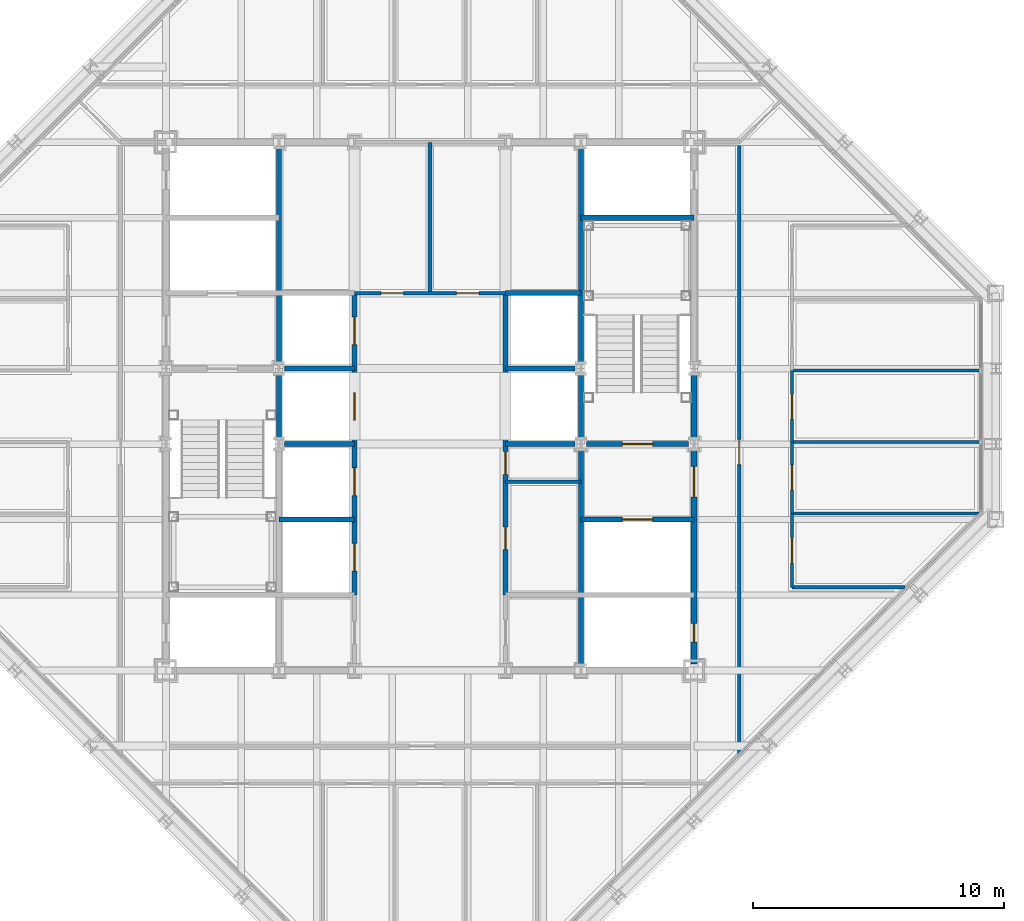
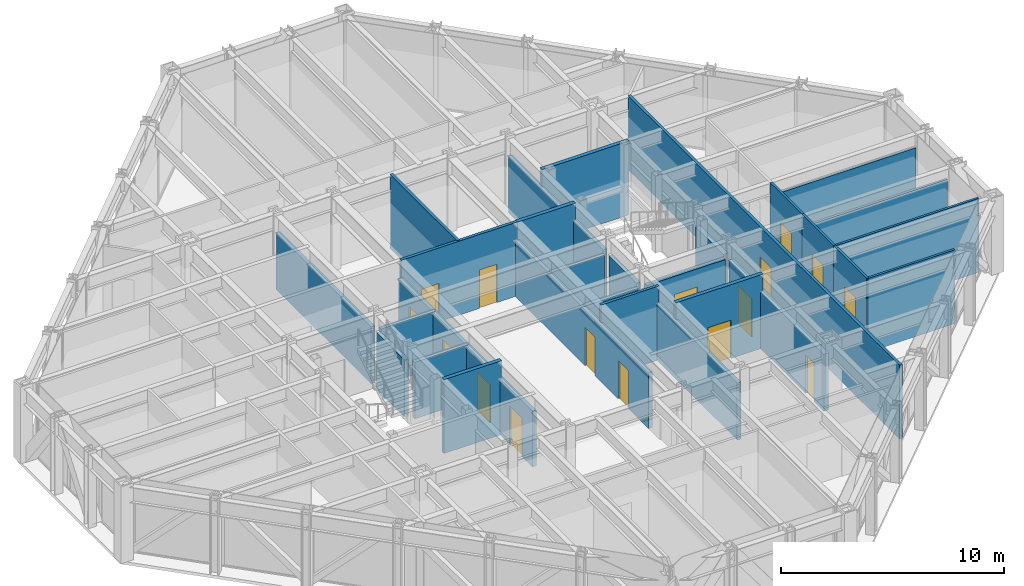
# One storey, part 11 of 15: 29 walls, 16 doors, 16 openings.
"""IFC4 building model written with IfcOpenShell, lengths in metres."""

from ifc_helpers import new_model, si_unit, direction, frame, frame_2d, origin, place, context, subcontext, project, spatial, rectangle, extrude, material, layer, layer_set, type_object, element, fill, save


model = new_model("IFC4")

# Units and contexts
model_context = context("Model", 3, precision=1e-05, world=origin(), true_north=direction((0.0, 1.0)))
body_context = subcontext(model_context, "Body", "Model", "MODEL_VIEW")
ifc_project = project(units=[si_unit("LENGTHUNIT", "METRE"), si_unit("AREAUNIT", "SQUARE_METRE"), si_unit("VOLUMEUNIT", "CUBIC_METRE"), si_unit("PLANEANGLEUNIT", "RADIAN"), si_unit("MASSUNIT", "GRAM", prefix="KILO")], contexts=[model_context])

# Site, building, storey
site_placement = place(None, origin())
site = spatial("IfcSite", under=ifc_project, at=site_placement, CompositionType="ELEMENT")
building_placement = place(site_placement, origin())
building = spatial("IfcBuilding", under=site, at=building_placement, Name="Chuquiago Exchange Tower", CompositionType="ELEMENT")
storey_placement = place(building_placement, frame((0.0, 0.0, 262.199951171875)))
storey = spatial("IfcBuildingStorey", under=building, at=storey_placement, Name="L58", CompositionType="ELEMENT", Elevation=262.199951171875)

# Wall, openings, doors
ifc_material_1 = material(Name="Concrete masonry, fully grouted", Category="masonry")
ifc_layer_1 = layer(ifc_material_1, 0.25)
ifc_layer_set_1 = layer_set([ifc_layer_1], Name="W1 core wall 250")
wall_type_1 = type_object("IfcWallType", Name="W1 core wall 250", PredefinedType="SOLIDWALL", material=ifc_layer_set_1)
wall_1_placement = place(storey_placement, frame((33.0, 12.25, 0.0), z_axis=(0.0, 0.0, 1.0), x_axis=(0.0, 1.0, 0.0)))
wall_1 = element("IfcWall", 1, at=wall_1_placement, inside=storey, type_object=wall_type_1, Name="CW-L58-25-0", PredefinedType="SOLIDWALL", context=body_context, shape_type="SweptSolid", body=[
    extrude(rectangle(XDim=8.5, YDim=0.25, at=frame_2d((4.25, 0.0))), origin(), (0.0, 0.0, 1.0), 3.113037109375),
])
opening_1_placement = place(wall_1_placement, frame((6.64990234375, 0.0, 0.0)))
opening_1 = element("IfcOpeningElement", 2, at=opening_1_placement, cuts=wall_1, Name="Opening L58-004", PredefinedType="OPENING", context=body_context, shape_type="SweptSolid", body=[
    extrude(rectangle(XDim=1.199951171875, YDim=2.10009765625, at=frame_2d((0.60009765625, 1.050048828125))), frame((0.0, 0.135009765625, 0.0), z_axis=(0.0, -1.0, 0.0), x_axis=(1.0, 0.0, 0.0)), (0.0, 0.0, 1.0), 0.27001953125),
])
opening_2_placement = place(wall_1_placement, frame((0.875, 0.0, 0.0)))
opening_2 = element("IfcOpeningElement", 3, at=opening_2_placement, cuts=wall_1, Name="Opening L58-009", PredefinedType="OPENING", context=body_context, shape_type="SweptSolid", body=[
    extrude(rectangle(XDim=0.75, YDim=2.10009765625, at=frame_2d((0.375, 1.050048828125))), frame((0.0, 0.135009765625, 0.0), z_axis=(0.0, -1.0, 0.0), x_axis=(1.0, 0.0, 0.0)), (0.0, 0.0, 1.0), 0.27001953125),
])
ifc_material_2 = material(Name="Steel door, painted", Category="steel")
door_type_1 = type_object("IfcDoorType", Name="D5 firefighting lobby door 1200x2100", OperationType="SINGLE_SWING_LEFT", PredefinedType="DOOR", material=ifc_material_2)
door_1_placement = place(opening_1_placement, origin())
door_1 = element("IfcDoor", 4, at=door_1_placement, inside=storey, type_object=door_type_1, Name="Firefighting lobby 2 door", OperationType="SINGLE_SWING_RIGHT", OverallHeight=2.10009765625, OverallWidth=1.199951171875, PredefinedType="DOOR", context=body_context, shape_type="SweptSolid", body=[
    extrude(rectangle(XDim=1.199951171875, YDim=2.10009765625, at=frame_2d((0.60009765625, 1.050048828125))), frame((0.0, 0.02490234375, 0.0), z_axis=(0.0, -1.0, 0.0), x_axis=(1.0, 0.0, 0.0)), (0.0, 0.0, 1.0), 0.050048828125),
])
fill(opening_1, door_1)
ifc_material_3 = material(Name="Steel door, painted", Category="steel")
door_type_2 = type_object("IfcDoorType", Name="D6 riser access door 750x2100", OperationType="SINGLE_SWING_LEFT", PredefinedType="DOOR", material=ifc_material_3)
door_2_placement = place(opening_2_placement, origin())
door_2 = element("IfcDoor", 5, at=door_2_placement, inside=storey, type_object=door_type_2, Name="Riser RE1 door", OperationType="SINGLE_SWING_LEFT", OverallHeight=2.10009765625, OverallWidth=0.75, PredefinedType="DOOR", context=body_context, shape_type="SweptSolid", body=[
    extrude(rectangle(XDim=0.75, YDim=2.10009765625, at=frame_2d((0.375, 1.050048828125))), frame((0.0, 0.02490234375, 0.0), z_axis=(0.0, -1.0, 0.0), x_axis=(1.0, 0.0, 0.0)), (0.0, 0.0, 1.0), 0.050048828125),
])
fill(opening_2, door_2)

# Wall
wall_2_placement = place(storey_placement, frame((33.0, 21.25, 0.0), z_axis=(0.0, 0.0, 1.0), x_axis=(0.0, 1.0, 0.0)))
element("IfcWall", 6, at=wall_2_placement, inside=storey, type_object=wall_type_1, Name="CW-L58-25-1", PredefinedType="SOLIDWALL", context=body_context, shape_type="SweptSolid", body=[
    extrude(rectangle(XDim=2.5, YDim=0.25, at=frame_2d((1.25, 0.0))), origin(), (0.0, 0.0, 1.0), 3.113037109375),
])

# Wall, opening, door
ifc_material_4 = material(Name="Gypsum board on steel studs, acoustic insulation", Category="steel")
ifc_layer_2 = layer(ifc_material_4, 0.14990234375)
ifc_layer_set_2 = layer_set([ifc_layer_2], Name="W11 corridor wall 150")
wall_type_2 = type_object("IfcWallType", Name="W11 corridor wall 150", PredefinedType="PARTITIONING", material=ifc_layer_set_2)
wall_3_placement = place(storey_placement, frame((34.800048828125, 8.685546875, 0.0), z_axis=(0.0, 0.0, 1.0), x_axis=(0.0, 1.0, 0.0)))
wall_3 = element("IfcWall", 7, at=wall_3_placement, inside=storey, type_object=wall_type_2, Name="PW-L58-GE0", PredefinedType="PARTITIONING", context=body_context, shape_type="SweptSolid", body=[
    extrude(rectangle(XDim=24.314453125, YDim=0.14990234375, at=frame_2d((12.1572265625, 0.0))), origin(), (0.0, 0.0, 1.0), 4.0400390625),
])
opening_3_placement = place(wall_3_placement, frame((11.5, 0.0, 0.0)))
opening_3 = element("IfcOpeningElement", 8, at=opening_3_placement, cuts=wall_3, Name="Opening L58-043", PredefinedType="OPENING", context=body_context, shape_type="SweptSolid", body=[
    extrude(rectangle(XDim=1.0, YDim=2.39990234375, at=frame_2d((0.5, 1.199951171875))), frame((0.0, 0.0849609375, 0.0), z_axis=(0.0, -1.0, 0.0), x_axis=(1.0, 0.0, 0.0)), (0.0, 0.0, 1.0), 0.169921875),
])
ifc_material_5 = material(Name="Timber door, laminate faced", Category="wood")
door_type_3 = type_object("IfcDoorType", Name="D9 room door 1000x2400", OperationType="SINGLE_SWING_LEFT", PredefinedType="DOOR", material=ifc_material_5)
door_3_placement = place(opening_3_placement, frame((1.0, 0.0, 0.0), z_axis=(0.0, 0.0, 1.0), x_axis=(-1.0, 0.0, 0.0)))
door_3 = element("IfcDoor", 9, at=door_3_placement, inside=storey, type_object=door_type_3, Name="Team area door", OperationType="SINGLE_SWING_RIGHT", OverallHeight=2.39990234375, OverallWidth=1.0, PredefinedType="DOOR", context=body_context, shape_type="SweptSolid", body=[
    extrude(rectangle(XDim=1.0, YDim=2.39990234375, at=frame_2d((0.5, 1.199951171875))), frame((0.0, 0.02490234375, 0.0), z_axis=(0.0, -1.0, 0.0), x_axis=(1.0, 0.0, 0.0)), (0.0, 0.0, 1.0), 0.050048828125),
])
fill(opening_3, door_3)

# Walls
ifc_material_6 = material(Name="Concrete masonry, fully grouted", Category="masonry")
ifc_layer_3 = layer(ifc_material_6, 0.199951171875)
ifc_layer_set_3 = layer_set([ifc_layer_3], Name="W2 shaft wall 200")
wall_type_3 = type_object("IfcWallType", Name="W2 shaft wall 200", PredefinedType="SOLIDWALL", material=ifc_layer_set_3)
for number, where, z_axis, x_axis, name in (
    (10, (16.724853515625, 24.0, 0.0), (0.0, 0.0, 1.0), (1.0, 0.0, 0.0), "CW-L58-05-1"),
    (11, (25.5, 24.0, 0.0), (0.0, 0.0, 1.0), (1.0, 0.0, 0.0), "CW-L58-06-0"),
):
    element("IfcWall", number, at=place(storey_placement, frame(where, z_axis=z_axis, x_axis=x_axis)), inside=storey, type_object=wall_type_3, Name=name, PredefinedType="SOLIDWALL", context=body_context, shape_type="SweptSolid", body=[
        extrude(rectangle(XDim=2.775146484375, YDim=0.199951171875, at=frame_2d((1.3876953125, 0.0))), origin(), (0.0, 0.0, 1.0), 3.090087890625),
    ])
wall_4_placement = place(storey_placement, frame((25.5, 27.0, 0.0), z_axis=(0.0, 0.0, 1.0), x_axis=(1.0, 0.0, 0.0)))
element("IfcWall", 12, at=wall_4_placement, inside=storey, type_object=wall_type_3, Name="CW-L58-08-0", PredefinedType="SOLIDWALL", context=body_context, shape_type="SweptSolid", body=[
    extrude(rectangle(XDim=3.0, YDim=0.199951171875, at=frame_2d((1.5, 0.0))), origin(), (0.0, 0.0, 1.0), 4.0400390625),
])
wall_5_placement = place(storey_placement, frame((28.5, 30.0, 0.0), z_axis=(0.0, 0.0, 1.0), x_axis=(1.0, 0.0, 0.0)))
element("IfcWall", 13, at=wall_5_placement, inside=storey, type_object=wall_type_3, Name="CW-L58-10-0", PredefinedType="SOLIDWALL", context=body_context, shape_type="SweptSolid", body=[
    extrude(rectangle(XDim=4.5, YDim=0.199951171875, at=frame_2d((2.25, 0.0))), origin(), (0.0, 0.0, 1.0), 4.0400390625),
])
wall_6_placement = place(storey_placement, frame((16.5, 21.25, 0.0), z_axis=(0.0, 0.0, 1.0), x_axis=(0.0, 1.0, 0.0)))
element("IfcWall", 14, at=wall_6_placement, inside=storey, type_object=wall_type_3, Name="CW-L58-13-1", PredefinedType="SOLIDWALL", context=body_context, shape_type="SweptSolid", body=[
    extrude(rectangle(XDim=2.5, YDim=0.199951171875, at=frame_2d((1.25, 0.0))), origin(), (0.0, 0.0, 1.0), 3.113037109375),
])
wall_7_placement = place(storey_placement, frame((16.5, 24.25, 0.0), z_axis=(0.0, 0.0, 1.0), x_axis=(0.0, 1.0, 0.0)))
element("IfcWall", 15, at=wall_7_placement, inside=storey, type_object=wall_type_3, Name="CW-L58-13-2", PredefinedType="SOLIDWALL", context=body_context, shape_type="SweptSolid", body=[
    extrude(rectangle(XDim=8.5, YDim=0.199951171875, at=frame_2d((4.25, 0.0))), origin(), (0.0, 0.0, 1.0), 3.113037109375),
])
wall_8_placement = place(storey_placement, frame((16.5, 18.0, 0.0), z_axis=(0.0, 0.0, 1.0), x_axis=(1.0, 0.0, 0.0)))
element("IfcWall", 16, at=wall_8_placement, inside=storey, type_object=wall_type_3, Name="CW-L58-14-0", PredefinedType="SOLIDWALL", context=body_context, shape_type="SweptSolid", body=[
    extrude(rectangle(XDim=3.0, YDim=0.199951171875, at=frame_2d((1.5, 0.0))), origin(), (0.0, 0.0, 1.0), 4.0400390625),
])

# Wall, opening, door
wall_9_placement = place(storey_placement, frame((28.5, 18.0, 0.0), z_axis=(0.0, 0.0, 1.0), x_axis=(1.0, 0.0, 0.0)))
wall_9 = element("IfcWall", 17, at=wall_9_placement, inside=storey, type_object=wall_type_3, Name="CW-L58-15-0", PredefinedType="SOLIDWALL", context=body_context, shape_type="SweptSolid", body=[
    extrude(rectangle(XDim=4.5, YDim=0.199951171875, at=frame_2d((2.25, 0.0))), origin(), (0.0, 0.0, 1.0), 4.0400390625),
])
opening_4_placement = place(wall_9_placement, frame((1.64990234375, 0.0, 0.0)))
opening_4 = element("IfcOpeningElement", 18, at=opening_4_placement, cuts=wall_9, Name="Opening L58-006", PredefinedType="OPENING", context=body_context, shape_type="SweptSolid", body=[
    extrude(rectangle(XDim=1.199951171875, YDim=2.10009765625, at=frame_2d((0.60009765625, 1.050048828125))), frame((0.0, 0.10986328125, 0.0), z_axis=(0.0, -1.0, 0.0), x_axis=(1.0, 0.0, 0.0)), (0.0, 0.0, 1.0), 0.219970703125),
])
ifc_material_7 = material(Name="Stainless steel lift landing door", Category="steel")
door_type_4 = type_object("IfcDoorType", Name="LD2 firefighting lift landing door 1200x2100", OperationType="DOUBLE_DOOR_SLIDING", PredefinedType="DOOR", material=ifc_material_7)
door_4_placement = place(opening_4_placement, origin())
door_4 = element("IfcDoor", 19, at=door_4_placement, inside=storey, type_object=door_type_4, Name="Firefighting lift FL2 landing door", OperationType="DOUBLE_DOOR_SLIDING", OverallHeight=2.10009765625, OverallWidth=1.199951171875, PredefinedType="DOOR", context=body_context, shape_type="SweptSolid", body=[
    extrude(rectangle(XDim=1.199951171875, YDim=2.10009765625, at=frame_2d((0.60009765625, 1.050048828125))), frame((0.0, 0.02490234375, 0.0), z_axis=(0.0, -1.0, 0.0), x_axis=(1.0, 0.0, 0.0)), (0.0, 0.0, 1.0), 0.050048828125),
])
fill(opening_4, door_4)

# Walls
for number, where, z_axis, x_axis, name in (
    (20, (16.724853515625, 21.0, 0.0), (0.0, 0.0, 1.0), (1.0, 0.0, 0.0), "CW-L58-16-0"),
    (21, (25.5, 21.0, 0.0), (0.0, 0.0, 1.0), (1.0, 0.0, 0.0), "CW-L58-17-0"),
):
    element("IfcWall", number, at=place(storey_placement, frame(where, z_axis=z_axis, x_axis=x_axis)), inside=storey, type_object=wall_type_3, Name=name, PredefinedType="SOLIDWALL", context=body_context, shape_type="SweptSolid", body=[
        extrude(rectangle(XDim=2.775146484375, YDim=0.199951171875, at=frame_2d((1.3876953125, 0.0))), origin(), (0.0, 0.0, 1.0), 3.090087890625),
    ])

# Wall, opening, door
wall_10_placement = place(storey_placement, frame((28.724853515625, 21.0, 0.0), z_axis=(0.0, 0.0, 1.0), x_axis=(1.0, 0.0, 0.0)))
wall_10 = element("IfcWall", 22, at=wall_10_placement, inside=storey, type_object=wall_type_3, Name="CW-L58-17-1", PredefinedType="SOLIDWALL", context=body_context, shape_type="SweptSolid", body=[
    extrude(rectangle(XDim=4.05029296875, YDim=0.199951171875, at=frame_2d((2.025146484375, 0.0))), origin(), (0.0, 0.0, 1.0), 3.090087890625),
])
opening_5_placement = place(wall_10_placement, frame((1.42529296875, 0.0, 0.0)))
opening_5 = element("IfcOpeningElement", 23, at=opening_5_placement, cuts=wall_10, Name="Opening L58-003", PredefinedType="OPENING", context=body_context, shape_type="SweptSolid", body=[
    extrude(rectangle(XDim=1.199951171875, YDim=2.10009765625, at=frame_2d((0.60009765625, 1.050048828125))), frame((0.0, 0.10986328125, 0.0), z_axis=(0.0, -1.0, 0.0), x_axis=(1.0, 0.0, 0.0)), (0.0, 0.0, 1.0), 0.219970703125),
])
ifc_material_8 = material(Name="Steel door, painted", Category="steel")
door_type_5 = type_object("IfcDoorType", Name="D4 stair door 1200x2100", OperationType="SINGLE_SWING_LEFT", PredefinedType="DOOR", material=ifc_material_8)
door_5_placement = place(opening_5_placement, origin())
door_5 = element("IfcDoor", 24, at=door_5_placement, inside=storey, type_object=door_type_5, Name="Stair ST2 door", OperationType="SINGLE_SWING_RIGHT", OverallHeight=2.10009765625, OverallWidth=1.199951171875, PredefinedType="DOOR", context=body_context, shape_type="SweptSolid", body=[
    extrude(rectangle(XDim=1.199951171875, YDim=2.10009765625, at=frame_2d((0.60009765625, 1.050048828125))), frame((0.0, 0.02490234375, 0.0), z_axis=(0.0, -1.0, 0.0), x_axis=(1.0, 0.0, 0.0)), (0.0, 0.0, 1.0), 0.050048828125),
])
fill(opening_5, door_5)

# Wall, openings, doors
wall_11_placement = place(storey_placement, frame((19.5, 15.0, 0.0), z_axis=(0.0, 0.0, 1.0), x_axis=(0.0, 1.0, 0.0)))
wall_11 = element("IfcWall", 25, at=wall_11_placement, inside=storey, type_object=wall_type_3, Name="CW-L58-19-0", PredefinedType="SOLIDWALL", context=body_context, shape_type="SweptSolid", body=[
    extrude(rectangle(XDim=12.0, YDim=0.199951171875, at=frame_2d((6.0, 0.0))), origin(), (0.0, 0.0, 1.0), 3.064697265625),
])
opening_6_placement = place(wall_11_placement, frame((0.949951171875, 0.0, 0.0)))
opening_6 = element("IfcOpeningElement", 26, at=opening_6_placement, cuts=wall_11, Name="Opening L58-017", PredefinedType="OPENING", context=body_context, shape_type="SweptSolid", body=[
    extrude(rectangle(XDim=1.10009765625, YDim=2.10009765625, at=frame_2d((0.550048828125, 1.050048828125))), frame((0.0, 0.10986328125, 0.0), z_axis=(0.0, -1.0, 0.0), x_axis=(1.0, 0.0, 0.0)), (0.0, 0.0, 1.0), 0.219970703125),
])
opening_7_placement = place(wall_11_placement, frame((3.949951171875, 0.0, 0.0)))
opening_7 = element("IfcOpeningElement", 27, at=opening_7_placement, cuts=wall_11, Name="Opening L58-018", PredefinedType="OPENING", context=body_context, shape_type="SweptSolid", body=[
    extrude(rectangle(XDim=1.10009765625, YDim=2.10009765625, at=frame_2d((0.550048828125, 1.050048828125))), frame((0.0, 0.10986328125, 0.0), z_axis=(0.0, -1.0, 0.0), x_axis=(1.0, 0.0, 0.0)), (0.0, 0.0, 1.0), 0.219970703125),
])
opening_8_placement = place(wall_11_placement, frame((6.949951171875, 0.0, 0.0)))
opening_8 = element("IfcOpeningElement", 28, at=opening_8_placement, cuts=wall_11, Name="Opening L58-019", PredefinedType="OPENING", context=body_context, shape_type="SweptSolid", body=[
    extrude(rectangle(XDim=1.10009765625, YDim=2.10009765625, at=frame_2d((0.550048828125, 1.050048828125))), frame((0.0, 0.10986328125, 0.0), z_axis=(0.0, -1.0, 0.0), x_axis=(1.0, 0.0, 0.0)), (0.0, 0.0, 1.0), 0.219970703125),
])
opening_9_placement = place(wall_11_placement, frame((9.949951171875, 0.0, 0.0)))
opening_9 = element("IfcOpeningElement", 29, at=opening_9_placement, cuts=wall_11, Name="Opening L58-020", PredefinedType="OPENING", context=body_context, shape_type="SweptSolid", body=[
    extrude(rectangle(XDim=1.10009765625, YDim=2.10009765625, at=frame_2d((0.550048828125, 1.050048828125))), frame((0.0, 0.10986328125, 0.0), z_axis=(0.0, -1.0, 0.0), x_axis=(1.0, 0.0, 0.0)), (0.0, 0.0, 1.0), 0.219970703125),
])
ifc_material_9 = material(Name="Stainless steel lift landing door", Category="steel")
door_type_6 = type_object("IfcDoorType", Name="LD1 lift landing door 1100x2100", OperationType="DOUBLE_DOOR_SLIDING", PredefinedType="DOOR", material=ifc_material_9)
door_6_placement = place(opening_6_placement, origin())
door_6 = element("IfcDoor", 30, at=door_6_placement, inside=storey, type_object=door_type_6, Name="Lift LD1 landing door", OperationType="DOUBLE_DOOR_SLIDING", OverallHeight=2.10009765625, OverallWidth=1.10009765625, PredefinedType="DOOR", context=body_context, shape_type="SweptSolid", body=[
    extrude(rectangle(XDim=1.10009765625, YDim=2.10009765625, at=frame_2d((0.550048828125, 1.050048828125))), frame((0.0, 0.02490234375, 0.0), z_axis=(0.0, -1.0, 0.0), x_axis=(1.0, 0.0, 0.0)), (0.0, 0.0, 1.0), 0.050048828125),
])
fill(opening_6, door_6)
door_7_placement = place(opening_7_placement, origin())
door_7 = element("IfcDoor", 31, at=door_7_placement, inside=storey, type_object=door_type_6, Name="Lift LD2 landing door", OperationType="DOUBLE_DOOR_SLIDING", OverallHeight=2.10009765625, OverallWidth=1.10009765625, PredefinedType="DOOR", context=body_context, shape_type="SweptSolid", body=[
    extrude(rectangle(XDim=1.10009765625, YDim=2.10009765625, at=frame_2d((0.550048828125, 1.050048828125))), frame((0.0, 0.02490234375, 0.0), z_axis=(0.0, -1.0, 0.0), x_axis=(1.0, 0.0, 0.0)), (0.0, 0.0, 1.0), 0.050048828125),
])
fill(opening_7, door_7)
door_8_placement = place(opening_8_placement, origin())
door_8 = element("IfcDoor", 32, at=door_8_placement, inside=storey, type_object=door_type_6, Name="Lift LD3 landing door", OperationType="DOUBLE_DOOR_SLIDING", OverallHeight=2.10009765625, OverallWidth=1.10009765625, PredefinedType="DOOR", context=body_context, shape_type="SweptSolid", body=[
    extrude(rectangle(XDim=1.10009765625, YDim=2.10009765625, at=frame_2d((0.550048828125, 1.050048828125))), frame((0.0, 0.02490234375, 0.0), z_axis=(0.0, -1.0, 0.0), x_axis=(1.0, 0.0, 0.0)), (0.0, 0.0, 1.0), 0.050048828125),
])
fill(opening_8, door_8)
door_9_placement = place(opening_9_placement, origin())
door_9 = element("IfcDoor", 33, at=door_9_placement, inside=storey, type_object=door_type_6, Name="Lift LD4 landing door", OperationType="DOUBLE_DOOR_SLIDING", OverallHeight=2.10009765625, OverallWidth=1.10009765625, PredefinedType="DOOR", context=body_context, shape_type="SweptSolid", body=[
    extrude(rectangle(XDim=1.10009765625, YDim=2.10009765625, at=frame_2d((0.550048828125, 1.050048828125))), frame((0.0, 0.02490234375, 0.0), z_axis=(0.0, -1.0, 0.0), x_axis=(1.0, 0.0, 0.0)), (0.0, 0.0, 1.0), 0.050048828125),
])
fill(opening_9, door_9)

wall_12_placement = place(storey_placement, frame((25.5, 15.0, 0.0), z_axis=(0.0, 0.0, 1.0), x_axis=(0.0, 1.0, 0.0)))
wall_12 = element("IfcWall", 34, at=wall_12_placement, inside=storey, type_object=wall_type_3, Name="CW-L58-22-0", PredefinedType="SOLIDWALL", context=body_context, shape_type="SweptSolid", body=[
    extrude(rectangle(XDim=12.0, YDim=0.199951171875, at=frame_2d((6.0, 0.0))), origin(), (0.0, 0.0, 1.0), 3.064697265625),
])
opening_10_placement = place(wall_12_placement, frame((1.800048828125, 0.0, 0.0)))
opening_10 = element("IfcOpeningElement", 35, at=opening_10_placement, cuts=wall_12, Name="Opening L58-014", PredefinedType="OPENING", context=body_context, shape_type="SweptSolid", body=[
    extrude(rectangle(XDim=0.89990234375, YDim=2.10009765625, at=frame_2d((0.449951171875, 1.050048828125))), frame((0.0, 0.10986328125, 0.0), z_axis=(0.0, -1.0, 0.0), x_axis=(1.0, 0.0, 0.0)), (0.0, 0.0, 1.0), 0.219970703125),
])
opening_11_placement = place(wall_12_placement, frame((4.800048828125, 0.0, 0.0)))
opening_11 = element("IfcOpeningElement", 36, at=opening_11_placement, cuts=wall_12, Name="Opening L58-015", PredefinedType="OPENING", context=body_context, shape_type="SweptSolid", body=[
    extrude(rectangle(XDim=0.89990234375, YDim=2.10009765625, at=frame_2d((0.449951171875, 1.050048828125))), frame((0.0, 0.10986328125, 0.0), z_axis=(0.0, -1.0, 0.0), x_axis=(1.0, 0.0, 0.0)), (0.0, 0.0, 1.0), 0.219970703125),
])
ifc_material_10 = material(Name="Timber door, laminate faced", Category="wood")
door_type_7 = type_object("IfcDoorType", Name="D16 core room door 900x2100", OperationType="SINGLE_SWING_LEFT", PredefinedType="DOOR", material=ifc_material_10)
door_10_placement = place(opening_10_placement, frame((0.89990234375, 0.0, 0.0), z_axis=(0.0, 0.0, 1.0), x_axis=(-1.0, 0.0, 0.0)))
door_10 = element("IfcDoor", 37, at=door_10_placement, inside=storey, type_object=door_type_7, Name="IT equipment room door", OperationType="SINGLE_SWING_RIGHT", OverallHeight=2.10009765625, OverallWidth=0.89990234375, PredefinedType="DOOR", context=body_context, shape_type="SweptSolid", body=[
    extrude(rectangle(XDim=0.89990234375, YDim=2.10009765625, at=frame_2d((0.449951171875, 1.050048828125))), frame((0.0, 0.02490234375, 0.0), z_axis=(0.0, -1.0, 0.0), x_axis=(1.0, 0.0, 0.0)), (0.0, 0.0, 1.0), 0.050048828125),
])
fill(opening_10, door_10)
door_11_placement = place(opening_11_placement, frame((0.89990234375, 0.0, 0.0), z_axis=(0.0, 0.0, 1.0), x_axis=(-1.0, 0.0, 0.0)))
door_11 = element("IfcDoor", 38, at=door_11_placement, inside=storey, type_object=door_type_7, Name="Vending room door", OperationType="SINGLE_SWING_LEFT", OverallHeight=2.10009765625, OverallWidth=0.89990234375, PredefinedType="DOOR", context=body_context, shape_type="SweptSolid", body=[
    extrude(rectangle(XDim=0.89990234375, YDim=2.10009765625, at=frame_2d((0.449951171875, 1.050048828125))), frame((0.0, 0.02490234375, 0.0), z_axis=(0.0, -1.0, 0.0), x_axis=(1.0, 0.0, 0.0)), (0.0, 0.0, 1.0), 0.050048828125),
])
fill(opening_11, door_11)

# Walls
wall_13_placement = place(storey_placement, frame((28.5, 12.25, 0.0), z_axis=(0.0, 0.0, 1.0), x_axis=(0.0, 1.0, 0.0)))
element("IfcWall", 39, at=wall_13_placement, inside=storey, type_object=wall_type_3, Name="CW-L58-24-0", PredefinedType="SOLIDWALL", context=body_context, shape_type="SweptSolid", body=[
    extrude(rectangle(XDim=8.5, YDim=0.199951171875, at=frame_2d((4.25, 0.0))), origin(), (0.0, 0.0, 1.0), 3.113037109375),
])
wall_14_placement = place(storey_placement, frame((28.5, 21.25, 0.0), z_axis=(0.0, 0.0, 1.0), x_axis=(0.0, 1.0, 0.0)))
element("IfcWall", 40, at=wall_14_placement, inside=storey, type_object=wall_type_3, Name="CW-L58-24-1", PredefinedType="SOLIDWALL", context=body_context, shape_type="SweptSolid", body=[
    extrude(rectangle(XDim=2.5, YDim=0.199951171875, at=frame_2d((1.25, 0.0))), origin(), (0.0, 0.0, 1.0), 3.113037109375),
])
wall_15_placement = place(storey_placement, frame((28.5, 24.25, 0.0), z_axis=(0.0, 0.0, 1.0), x_axis=(0.0, 1.0, 0.0)))
element("IfcWall", 41, at=wall_15_placement, inside=storey, type_object=wall_type_3, Name="CW-L58-24-2", PredefinedType="SOLIDWALL", context=body_context, shape_type="SweptSolid", body=[
    extrude(rectangle(XDim=8.5, YDim=0.199951171875, at=frame_2d((4.25, 0.0))), origin(), (0.0, 0.0, 1.0), 3.113037109375),
])

# Wall, openings, doors
ifc_material_11 = material(Name="Gypsum board on steel studs", Category="steel")
ifc_layer_4 = layer(ifc_material_11, 0.14990234375)
ifc_layer_set_4 = layer_set([ifc_layer_4], Name="W3 core partition 150")
wall_type_4 = type_object("IfcWallType", Name="W3 core partition 150", PredefinedType="PARTITIONING", material=ifc_layer_set_4)
wall_16_placement = place(storey_placement, frame((19.5, 27.0, 0.0), z_axis=(0.0, 0.0, 1.0), x_axis=(1.0, 0.0, 0.0)))
wall_16 = element("IfcWall", 42, at=wall_16_placement, inside=storey, type_object=wall_type_4, Name="CW-L58-TF", PredefinedType="PARTITIONING", context=body_context, shape_type="SweptSolid", body=[
    extrude(rectangle(XDim=6.0, YDim=0.14990234375, at=frame_2d((3.0, 0.0))), origin(), (0.0, 0.0, 1.0), 4.0400390625),
])
opening_12_placement = place(wall_16_placement, frame((1.050048828125, 0.0, 0.0)))
opening_12 = element("IfcOpeningElement", 43, at=opening_12_placement, cuts=wall_16, Name="Opening L58-011", PredefinedType="OPENING", context=body_context, shape_type="SweptSolid", body=[
    extrude(rectangle(XDim=0.89990234375, YDim=2.10009765625, at=frame_2d((0.449951171875, 1.050048828125))), frame((0.0, 0.0849609375, 0.0), z_axis=(0.0, -1.0, 0.0), x_axis=(1.0, 0.0, 0.0)), (0.0, 0.0, 1.0), 0.169921875),
])
opening_13_placement = place(wall_16_placement, frame((4.050048828125, 0.0, 0.0)))
opening_13 = element("IfcOpeningElement", 44, at=opening_13_placement, cuts=wall_16, Name="Opening L58-012", PredefinedType="OPENING", context=body_context, shape_type="SweptSolid", body=[
    extrude(rectangle(XDim=0.89990234375, YDim=2.10009765625, at=frame_2d((0.449951171875, 1.050048828125))), frame((0.0, 0.0849609375, 0.0), z_axis=(0.0, -1.0, 0.0), x_axis=(1.0, 0.0, 0.0)), (0.0, 0.0, 1.0), 0.169921875),
])
ifc_material_12 = material(Name="Timber door, laminate faced", Category="wood")
door_type_8 = type_object("IfcDoorType", Name="D7 toilet door 900x2100", OperationType="SINGLE_SWING_LEFT", PredefinedType="DOOR", material=ifc_material_12)
door_12_placement = place(opening_12_placement, origin())
door_12 = element("IfcDoor", 45, at=door_12_placement, inside=storey, type_object=door_type_8, Name="Male WC door", OperationType="SINGLE_SWING_RIGHT", OverallHeight=2.10009765625, OverallWidth=0.89990234375, PredefinedType="DOOR", context=body_context, shape_type="SweptSolid", body=[
    extrude(rectangle(XDim=0.89990234375, YDim=2.10009765625, at=frame_2d((0.449951171875, 1.050048828125))), frame((0.0, 0.02490234375, 0.0), z_axis=(0.0, -1.0, 0.0), x_axis=(1.0, 0.0, 0.0)), (0.0, 0.0, 1.0), 0.050048828125),
])
fill(opening_12, door_12)
door_13_placement = place(opening_13_placement, origin())
door_13 = element("IfcDoor", 46, at=door_13_placement, inside=storey, type_object=door_type_8, Name="Female WC door", OperationType="SINGLE_SWING_LEFT", OverallHeight=2.10009765625, OverallWidth=0.89990234375, PredefinedType="DOOR", context=body_context, shape_type="SweptSolid", body=[
    extrude(rectangle(XDim=0.89990234375, YDim=2.10009765625, at=frame_2d((0.449951171875, 1.050048828125))), frame((0.0, 0.02490234375, 0.0), z_axis=(0.0, -1.0, 0.0), x_axis=(1.0, 0.0, 0.0)), (0.0, 0.0, 1.0), 0.050048828125),
])
fill(opening_13, door_13)

# Walls
wall_17_placement = place(storey_placement, frame((22.5, 27.0, 0.0), z_axis=(0.0, 0.0, 1.0), x_axis=(0.0, 1.0, 0.0)))
element("IfcWall", 47, at=wall_17_placement, inside=storey, type_object=wall_type_4, Name="CW-L58-TM", PredefinedType="PARTITIONING", context=body_context, shape_type="SweptSolid", body=[
    extrude(rectangle(XDim=6.0, YDim=0.14990234375, at=frame_2d((3.0, 0.0))), origin(), (0.0, 0.0, 1.0), 4.0400390625),
])
wall_18_placement = place(storey_placement, frame((25.5, 19.5, 0.0), z_axis=(0.0, 0.0, 1.0), x_axis=(1.0, 0.0, 0.0)))
element("IfcWall", 48, at=wall_18_placement, inside=storey, type_object=wall_type_4, Name="CW-L58-EBR1-N", PredefinedType="PARTITIONING", context=body_context, shape_type="SweptSolid", body=[
    extrude(rectangle(XDim=3.0, YDim=0.14990234375, at=frame_2d((1.5, 0.0))), origin(), (0.0, 0.0, 1.0), 4.0400390625),
])
ifc_material_13 = material(Name="Gypsum board on steel studs", Category="steel")
ifc_layer_5 = layer(ifc_material_13, 0.1201171875)
ifc_layer_set_5 = layer_set([ifc_layer_5], Name="W4 partition 120")
wall_type_5 = type_object("IfcWallType", Name="W4 partition 120", PredefinedType="PARTITIONING", material=ifc_layer_set_5)
wall_19_placement = place(storey_placement, frame((41.392578125, 15.30712890625, 0.0), z_axis=(0.0, 0.0, 1.0), x_axis=(-1.0, 0.0, 0.0)))
element("IfcWall", 49, at=wall_19_placement, inside=storey, type_object=wall_type_5, Name="PW-L58-E01531", PredefinedType="PARTITIONING", context=body_context, shape_type="SweptSolid", body=[
    extrude(rectangle(XDim=4.49267578125, YDim=0.1201171875, at=frame_2d((2.246337890625, 0.0))), origin(), (0.0, 0.0, 1.0), 4.0400390625),
])
wall_20_placement = place(storey_placement, frame((44.333984375, 18.24853515625, 0.0), z_axis=(0.0, 0.0, 1.0), x_axis=(-1.0, 0.0, 0.0)))
element("IfcWall", 50, at=wall_20_placement, inside=storey, type_object=wall_type_5, Name="PW-L58-E01825", PredefinedType="PARTITIONING", context=body_context, shape_type="SweptSolid", body=[
    extrude(rectangle(XDim=7.43408203125, YDim=0.1201171875, at=frame_2d((3.717041015625, 0.0))), origin(), (0.0, 0.0, 1.0), 4.0400390625),
])
for number, where, z_axis, x_axis, name in (
    (51, (44.347412109375, 21.082763671875, 0.0), (0.0, 0.0, 1.0), (-1.0, 0.0, 0.0), "PW-L58-E02108"),
    (52, (44.347412109375, 23.917236328125, 0.0), (0.0, 0.0, 1.0), (-1.0, 0.0, 0.0), "PW-L58-E02392"),
):
    element("IfcWall", number, at=place(storey_placement, frame(where, z_axis=z_axis, x_axis=x_axis)), inside=storey, type_object=wall_type_5, Name=name, PredefinedType="PARTITIONING", context=body_context, shape_type="SweptSolid", body=[
        extrude(rectangle(XDim=7.447509765625, YDim=0.1201171875, at=frame_2d((3.7236328125, 0.0))), origin(), (0.0, 0.0, 1.0), 3.35693359375),
    ])

# Wall, opening, door
wall_21_placement = place(storey_placement, frame((36.89990234375, 15.30712890625, 0.0), z_axis=(0.0, 0.0, 1.0), x_axis=(0.0, 1.0, 0.0)))
wall_21 = element("IfcWall", 53, at=wall_21_placement, inside=storey, type_object=wall_type_5, Name="PW-L58-EF01531", PredefinedType="PARTITIONING", context=body_context, shape_type="SweptSolid", body=[
    extrude(rectangle(XDim=2.94140625, YDim=0.1201171875, at=frame_2d((1.470703125, 0.0))), origin(), (0.0, 0.0, 1.0), 4.0400390625),
])
opening_14_placement = place(wall_21_placement, frame((0.970703125, 0.0, 0.0)))
opening_14 = element("IfcOpeningElement", 54, at=opening_14_placement, cuts=wall_21, Name="Opening L58-026", PredefinedType="OPENING", context=body_context, shape_type="SweptSolid", body=[
    extrude(rectangle(XDim=1.0, YDim=2.39990234375, at=frame_2d((0.5, 1.199951171875))), frame((0.0, 0.070068359375, 0.0), z_axis=(0.0, -1.0, 0.0), x_axis=(1.0, 0.0, 0.0)), (0.0, 0.0, 1.0), 0.14013671875),
])
door_14_placement = place(opening_14_placement, frame((1.0, 0.0, 0.0), z_axis=(0.0, 0.0, 1.0), x_axis=(-1.0, 0.0, 0.0)))
door_14 = element("IfcDoor", 55, at=door_14_placement, inside=storey, type_object=door_type_3, Name="Office door", OperationType="SINGLE_SWING_LEFT", OverallHeight=2.39990234375, OverallWidth=1.0, PredefinedType="DOOR", context=body_context, shape_type="SweptSolid", body=[
    extrude(rectangle(XDim=1.0, YDim=2.39990234375, at=frame_2d((0.5, 1.199951171875))), frame((0.0, 0.02490234375, 0.0), z_axis=(0.0, -1.0, 0.0), x_axis=(1.0, 0.0, 0.0)), (0.0, 0.0, 1.0), 0.050048828125),
])
fill(opening_14, door_14)

wall_22_placement = place(storey_placement, frame((36.89990234375, 18.24853515625, 0.0), z_axis=(0.0, 0.0, 1.0), x_axis=(0.0, 1.0, 0.0)))
wall_22 = element("IfcWall", 56, at=wall_22_placement, inside=storey, type_object=wall_type_5, Name="PW-L58-EF01825", PredefinedType="PARTITIONING", context=body_context, shape_type="SweptSolid", body=[
    extrude(rectangle(XDim=2.834228515625, YDim=0.1201171875, at=frame_2d((1.4169921875, 0.0))), origin(), (0.0, 0.0, 1.0), 4.0400390625),
])
opening_15_placement = place(wall_22_placement, frame((0.9169921875, 0.0, 0.0)))
opening_15 = element("IfcOpeningElement", 57, at=opening_15_placement, cuts=wall_22, Name="Opening L58-027", PredefinedType="OPENING", context=body_context, shape_type="SweptSolid", body=[
    extrude(rectangle(XDim=1.0, YDim=2.39990234375, at=frame_2d((0.5, 1.199951171875))), frame((0.0, 0.070068359375, 0.0), z_axis=(0.0, -1.0, 0.0), x_axis=(1.0, 0.0, 0.0)), (0.0, 0.0, 1.0), 0.14013671875),
])
door_15_placement = place(opening_15_placement, frame((1.0, 0.0, 0.0), z_axis=(0.0, 0.0, 1.0), x_axis=(-1.0, 0.0, 0.0)))
door_15 = element("IfcDoor", 58, at=door_15_placement, inside=storey, type_object=door_type_3, Name="Executive office door", OperationType="SINGLE_SWING_RIGHT", OverallHeight=2.39990234375, OverallWidth=1.0, PredefinedType="DOOR", context=body_context, shape_type="SweptSolid", body=[
    extrude(rectangle(XDim=1.0, YDim=2.39990234375, at=frame_2d((0.5, 1.199951171875))), frame((0.0, 0.02490234375, 0.0), z_axis=(0.0, -1.0, 0.0), x_axis=(1.0, 0.0, 0.0)), (0.0, 0.0, 1.0), 0.050048828125),
])
fill(opening_15, door_15)

wall_23_placement = place(storey_placement, frame((36.89990234375, 21.082763671875, 0.0), z_axis=(0.0, 0.0, 1.0), x_axis=(0.0, 1.0, 0.0)))
wall_23 = element("IfcWall", 59, at=wall_23_placement, inside=storey, type_object=wall_type_5, Name="PW-L58-EF02108", PredefinedType="PARTITIONING", context=body_context, shape_type="SweptSolid", body=[
    extrude(rectangle(XDim=2.83447265625, YDim=0.1201171875, at=frame_2d((1.417236328125, 0.0))), origin(), (0.0, 0.0, 1.0), 4.0400390625),
])
opening_16_placement = place(wall_23_placement, frame((0.917236328125, 0.0, 0.0)))
opening_16 = element("IfcOpeningElement", 60, at=opening_16_placement, cuts=wall_23, Name="Opening L58-028", PredefinedType="OPENING", context=body_context, shape_type="SweptSolid", body=[
    extrude(rectangle(XDim=1.0, YDim=2.39990234375, at=frame_2d((0.5, 1.199951171875))), frame((0.0, 0.070068359375, 0.0), z_axis=(0.0, -1.0, 0.0), x_axis=(1.0, 0.0, 0.0)), (0.0, 0.0, 1.0), 0.14013671875),
])
door_16_placement = place(opening_16_placement, frame((1.0, 0.0, 0.0), z_axis=(0.0, 0.0, 1.0), x_axis=(-1.0, 0.0, 0.0)))
door_16 = element("IfcDoor", 61, at=door_16_placement, inside=storey, type_object=door_type_3, Name="Executive office door", OperationType="SINGLE_SWING_RIGHT", OverallHeight=2.39990234375, OverallWidth=1.0, PredefinedType="DOOR", context=body_context, shape_type="SweptSolid", body=[
    extrude(rectangle(XDim=1.0, YDim=2.39990234375, at=frame_2d((0.5, 1.199951171875))), frame((0.0, 0.02490234375, 0.0), z_axis=(0.0, -1.0, 0.0), x_axis=(1.0, 0.0, 0.0)), (0.0, 0.0, 1.0), 0.050048828125),
])
fill(opening_16, door_16)

save(model, "model.ifc")
